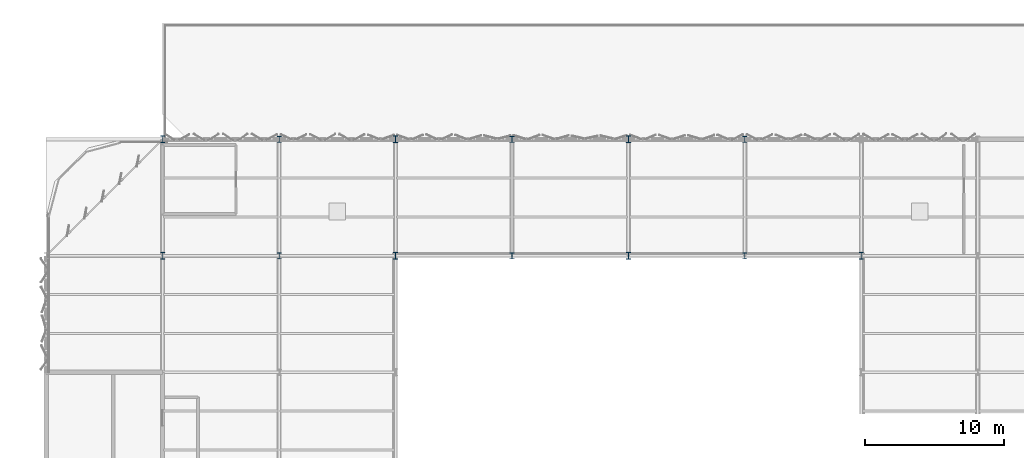
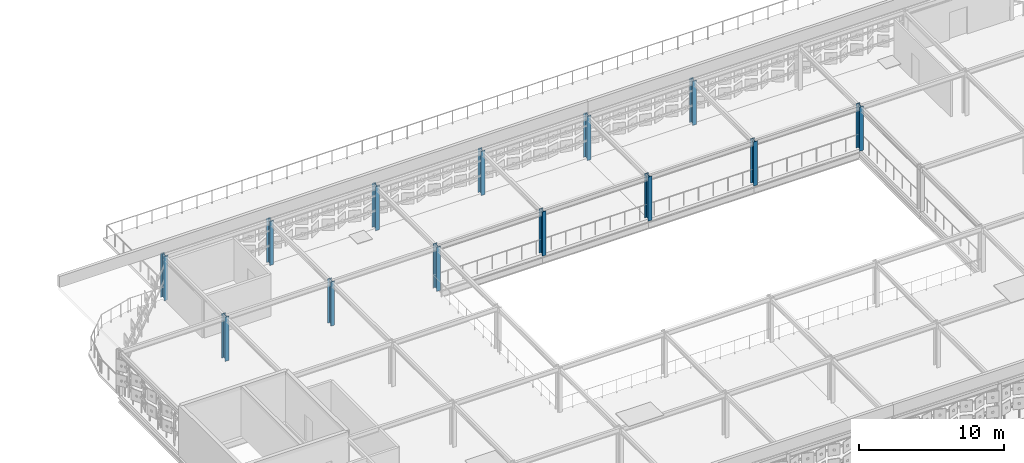
# One storey, part 6 of 65: 13 columns.
"""IFC4 building model written with IfcOpenShell, lengths in metres."""

import ifcopenshell
import ifcopenshell.guid

model = None  # the IFC model being written
_history = None  # IfcOwnerHistory: only IFC2X3 demands one
_inside = {}  # id of a spatial element -> (the spatial element, [elements in it])
_under = {}  # id of a project, library or spatial element -> (it, [spatial elements below it])
_declared = {}  # id of a project -> (the project, [libraries it declares])
_typed = {}  # id of a type object -> (the type object, [elements of that type])
_made_of = {}  # id of a material, layer set ... -> (it, [elements and type objects made of it])


def new_model(schema):
    """Start an empty IFC model of exactly this schema.

    Asked for "IFC4X3", IfcOpenShell would pick the latest addendum, in which some entities
    have other attributes; the version numbers below select the first issue.
    IFC2X3 requires an IfcOwnerHistory on every rooted entity: one is made here for all.
    """
    global model, _history
    if schema == "IFC4X3":
        model = ifcopenshell.file(schema_version=(4, 3, 0, 0))
    else:
        model = ifcopenshell.file(schema=schema)
    _inside.clear()
    _under.clear()
    _declared.clear()
    _typed.clear()
    _made_of.clear()
    _history = None
    if model.schema == "IFC2X3":
        org = make("IfcOrganization", Name="unknown")
        user = make(
            "IfcPersonAndOrganization",
            ThePerson=make("IfcPerson", FamilyName="unknown"),
            TheOrganization=org,
        )
        app = make(
            "IfcApplication",
            ApplicationDeveloper=org,
            Version="unknown",
            ApplicationFullName="unknown",
            ApplicationIdentifier="unknown",
        )
        _history = make(
            "IfcOwnerHistory",
            OwningUser=user,
            OwningApplication=app,
            ChangeAction="ADDED",
            CreationDate=0,
        )
    return model


def make(cls, **values):
    """One entity of the class cls with the attributes given. An attribute that is None is left unset."""
    return model.create_entity(
        cls, **{name: value for name, value in values.items() if value is not None}
    )


def rooted(cls, **values):
    """An entity with a GlobalId (a new one), such as an element, a storey or a relation."""
    return make(cls, GlobalId=ifcopenshell.guid.new(), OwnerHistory=_history, **values)


def si_unit(unit_type, name, prefix=None):
    """IfcSIUnit, for example si_unit("LENGTHUNIT", "METRE", prefix="MILLI")."""
    return make("IfcSIUnit", UnitType=unit_type, Prefix=prefix, Name=name)


def assignment(units):
    """IfcUnitAssignment: the units of a project."""
    return None if units is None else make("IfcUnitAssignment", Units=units)


def point(xyz):
    """IfcCartesianPoint."""
    return None if xyz is None else make("IfcCartesianPoint", Coordinates=xyz)


def direction(xyz):
    """IfcDirection."""
    return None if xyz is None else make("IfcDirection", DirectionRatios=xyz)


def frame(location, z_axis=None, x_axis=None):
    """IfcAxis2Placement3D, a coordinate frame: its origin and axes. An axis left out is left unset."""
    return make(
        "IfcAxis2Placement3D",
        Location=point(location),
        Axis=direction(z_axis),
        RefDirection=direction(x_axis),
    )


def frame_2d(location, x_axis=None):
    """IfcAxis2Placement2D, a coordinate frame in the plane: its origin and x axis."""
    return make(
        "IfcAxis2Placement2D", Location=point(location), RefDirection=direction(x_axis)
    )


def origin():
    """The frame at (0, 0, 0) with its axes left unset."""
    return frame((0.0, 0.0, 0.0))


def origin_2d():
    """The frame at (0, 0) in the plane with its x axis left unset."""
    return frame_2d((0.0, 0.0))


def place(relative_to, where):
    """IfcLocalPlacement: puts the frame where relative to a parent placement (None: the world)."""
    return make(
        "IfcLocalPlacement", PlacementRelTo=relative_to, RelativePlacement=where
    )


def context(
    kind, dimensions, precision=None, world=None, true_north=None, identifier=None
):
    """IfcGeometricRepresentationContext, for example the 3D "Model" context."""
    return make(
        "IfcGeometricRepresentationContext",
        ContextIdentifier=identifier,
        ContextType=kind,
        CoordinateSpaceDimension=dimensions,
        Precision=precision,
        WorldCoordinateSystem=world,
        TrueNorth=true_north,
    )


def subcontext(parent, identifier, kind, view, scale=None):
    """IfcGeometricRepresentationSubContext, for example "Body" below "Model"."""
    return make(
        "IfcGeometricRepresentationSubContext",
        ContextIdentifier=identifier,
        ContextType=kind,
        ParentContext=parent,
        TargetScale=scale,
        TargetView=view,
    )


def project(units=None, contexts=None):
    """IfcProject with its units and contexts."""
    return rooted(
        "IfcProject",
        Name="project",
        RepresentationContexts=contexts,
        UnitsInContext=assignment(units),
    )


def spatial(cls, under=None, at=None, **own):
    """A site, building, storey or space (cls), placed at a placement, below another one or the project."""
    s = rooted(cls, ObjectPlacement=at, **own)
    if under is not None:
        _under.setdefault(under.id(), (under, []))[1].append(s)
    return s


def profile(cls, at=None, kind="AREA", **sizes):
    """A parametric profile (cls). Its sizes go by their IFC names, for example OverallWidth=200.0."""
    return make(cls, ProfileType=kind, Position=at, **sizes)


def i_section(**sizes):
    """IfcIShapeProfileDef."""
    return profile("IfcIShapeProfileDef", **sizes)


def extrude(swept, where, along, depth):
    """IfcExtrudedAreaSolid: the profile swept, set in the frame where, extruded along a direction by depth."""
    return make(
        "IfcExtrudedAreaSolid",
        SweptArea=swept,
        Position=where,
        ExtrudedDirection=direction(along),
        Depth=depth,
    )


def shape(context_of_items, identifier, shape_type, items):
    """IfcShapeRepresentation: the items that make up one representation, for example the "Body"."""
    return make(
        "IfcShapeRepresentation",
        ContextOfItems=context_of_items,
        RepresentationIdentifier=identifier,
        RepresentationType=shape_type,
        Items=items,
    )


def material(Name=None, Category=None):
    """IfcMaterial."""
    return make("IfcMaterial", Name=Name, Category=Category)


def material_profile(
    of_material, cross_section, Name=None, Category=None, Priority=None
):
    """IfcMaterialProfile: a cross section and its material."""
    return make(
        "IfcMaterialProfile",
        Name=Name,
        Material=of_material,
        Profile=cross_section,
        Priority=Priority,
        Category=Category,
    )


def profile_set(profiles, Name=None, composite=None):
    """IfcMaterialProfileSet."""
    return make(
        "IfcMaterialProfileSet",
        Name=Name,
        MaterialProfiles=profiles,
        CompositeProfile=composite,
    )


def made_of(thing, what):
    """Note that an element or type object is made of a material, layer set ...; save() writes the relation."""
    if what is not None:
        _made_of.setdefault(what.id(), (what, []))[1].append(thing)
    return thing


def type_object(cls, material=None, **own):
    """A type object (cls), such as IfcWallType, which elements share."""
    return made_of(rooted(cls, **own), material)


def element(
    cls,
    number,
    at=None,
    inside=None,
    cuts=None,
    type_object=None,
    material=None,
    context=None,
    identifier="Body",
    shape_type=None,
    held_by="IfcProductDefinitionShape",
    body=None,
    shapes=None,
    **own,
):
    """One element of the class cls, such as IfcWall. Its Tag is "e" and its number.

    at: its placement. inside: the storey or other place that contains it. cuts: it is an
    opening in that element (IfcRelVoidsElement). A single representation is given by context,
    identifier, shape_type and body (its items); several are given by shapes. held_by: the class
    of the entity that holds the representations. save() writes the other relations.
    """
    e = rooted(cls, Tag="e%d" % number, ObjectPlacement=at, **own)
    if body is not None:
        shapes = [shape(context, identifier, shape_type, body)]
    if shapes is not None:
        e.Representation = make(held_by, Representations=shapes)
    if inside is not None:
        _inside.setdefault(inside.id(), (inside, []))[1].append(e)
    if cuts is not None:
        rooted(
            "IfcRelVoidsElement", RelatingBuildingElement=cuts, RelatedOpeningElement=e
        )
    if type_object is not None:
        _typed.setdefault(type_object.id(), (type_object, []))[1].append(e)
    return made_of(e, material)


def aggregate(whole, parts):
    """IfcRelAggregates: a whole, such as a stair, and the parts it consists of."""
    return rooted("IfcRelAggregates", RelatingObject=whole, RelatedObjects=parts)


def save(model, path):
    """Write the relations noted so far, then the file.

    IfcRelAggregates (storeys below a building ...), IfcRelContainedInSpatialStructure (elements
    in a storey), IfcRelDefinesByType, IfcRelAssociatesMaterial and IfcRelDeclares: one each for
    every whole, place, type object, material and project.
    """
    for whole, parts in _under.values():
        aggregate(whole, parts)
    for where, things in _inside.values():
        rooted(
            "IfcRelContainedInSpatialStructure",
            RelatedElements=things,
            RelatingStructure=where,
        )
    for kind, things in _typed.values():
        rooted("IfcRelDefinesByType", RelatedObjects=things, RelatingType=kind)
    for what, things in _made_of.values():
        rooted("IfcRelAssociatesMaterial", RelatedObjects=things, RelatingMaterial=what)
    for by, libraries in _declared.values():
        rooted("IfcRelDeclares", RelatingContext=by, RelatedDefinitions=libraries)
    model.write(path)


model = new_model("IFC4")

# Units and contexts
model_context = context("Model", 3, precision=1e-05, world=origin(), true_north=direction((0.0, 1.0)))
body_context = subcontext(model_context, "Body", "Model", "MODEL_VIEW")
ifc_project = project(units=[si_unit("LENGTHUNIT", "METRE"), si_unit("AREAUNIT", "SQUARE_METRE"), si_unit("VOLUMEUNIT", "CUBIC_METRE"), si_unit("PLANEANGLEUNIT", "RADIAN"), si_unit("MASSUNIT", "GRAM", prefix="KILO")], contexts=[model_context])

# Site, building, storey
site_placement = place(None, origin())
site = spatial("IfcSite", under=ifc_project, at=site_placement, CompositionType="ELEMENT")
building_placement = place(site_placement, origin())
building = spatial("IfcBuilding", under=site, at=building_placement, Name="Qalvenar Corner Mobility Hub", CompositionType="ELEMENT")
storey_placement = place(building_placement, frame((0.0, 0.0, 17.39990234375)))
storey = spatial("IfcBuildingStorey", under=building, at=storey_placement, Name="L04", CompositionType="ELEMENT", Elevation=17.39990234375)

# Columns
ifc_material = material(Name="Steel S355", Category="steel")
ifc_material_profile_1 = material_profile(ifc_material, i_section(OverallWidth=0.300048828125, OverallDepth=0.449951171875, WebThickness=0.013916015625, FlangeThickness=0.02587890625, FilletRadius=0.027099609375, at=origin_2d()), Name="HEB450")
ifc_profile_set_1 = profile_set([ifc_material_profile_1], Name="Steel S355")
column_type_1 = type_object("IfcColumnType", Name="COL-HEB450", PredefinedType="COLUMN", material=ifc_profile_set_1)
for number, where, z_axis, x_axis, name in (
    (1, (75.60009765625, 100.800048828125, 0.0), (0.0, 0.0, 1.0), (1.0, 0.0, 0.0), "Steel Column L04-G10-12"),
    (2, (75.60009765625, 109.199951171875, 0.0), (0.0, 0.0, 1.0), (1.0, 0.0, 0.0), "Steel Column L04-G10-13"),
    (3, (92.39990234375, 100.800048828125, 0.0), (0.0, 0.0, 1.0), (1.0, 0.0, 0.0), "Steel Column L04-G12-12"),
    (4, (92.39990234375, 109.199951171875, 0.0), (0.0, 0.0, 1.0), (1.0, 0.0, 0.0), "Steel Column L04-G12-13"),
    (5, (109.199951171875, 100.800048828125, 0.0), (0.0, 0.0, 1.0), (1.0, 0.0, 0.0), "Steel Column L04-G14-12"),
    (6, (109.199951171875, 109.199951171875, 0.0), (0.0, 0.0, 1.0), (1.0, 0.0, 0.0), "Steel Column L04-G14-13"),
):
    element("IfcColumn", number, at=place(storey_placement, frame(where, z_axis=z_axis, x_axis=x_axis)), inside=storey, type_object=column_type_1, Name=name, PredefinedType="COLUMN", context=body_context, shape_type="SweptSolid", body=[
        extrude(i_section(OverallWidth=0.300048828125, OverallDepth=0.449951171875, WebThickness=0.013916015625, FlangeThickness=0.02587890625, FilletRadius=0.027099609375, at=origin_2d()), origin(), (0.0, 0.0, 1.0), 3.710205078125),
    ])
ifc_material_profile_2 = material_profile(ifc_material, i_section(OverallWidth=0.300048828125, OverallDepth=0.5, WebThickness=0.014404296875, FlangeThickness=0.028076171875, FilletRadius=0.027099609375, at=origin_2d()), Name="HEB500")
ifc_profile_set_2 = profile_set([ifc_material_profile_2], Name="Steel S355")
column_type_2 = type_object("IfcColumnType", Name="COL-HEB500", PredefinedType="COLUMN", material=ifc_profile_set_2)
for number, where, z_axis, x_axis, name in (
    (7, (67.199951171875, 100.800048828125, 0.0), (0.0, 0.0, 1.0), (1.0, 0.0, 0.0), "Steel Column L04-G9-12"),
    (8, (67.199951171875, 109.199951171875, 0.0), (0.0, 0.0, 1.0), (1.0, 0.0, 0.0), "Steel Column L04-G9-13"),
    (9, (84.0, 100.800048828125, 0.0), (0.0, 0.0, 1.0), (1.0, 0.0, 0.0), "Steel Column L04-G11-12"),
    (10, (84.0, 109.199951171875, 0.0), (0.0, 0.0, 1.0), (1.0, 0.0, 0.0), "Steel Column L04-G11-13"),
    (11, (100.800048828125, 100.800048828125, 0.0), (0.0, 0.0, 1.0), (1.0, 0.0, 0.0), "Steel Column L04-G13-12"),
    (12, (100.800048828125, 109.199951171875, 0.0), (0.0, 0.0, 1.0), (1.0, 0.0, 0.0), "Steel Column L04-G13-13"),
    (13, (117.60009765625, 100.800048828125, 0.0), (0.0, 0.0, 1.0), (1.0, 0.0, 0.0), "Steel Column L04-G15-12"),
):
    element("IfcColumn", number, at=place(storey_placement, frame(where, z_axis=z_axis, x_axis=x_axis)), inside=storey, type_object=column_type_2, Name=name, PredefinedType="COLUMN", context=body_context, shape_type="SweptSolid", body=[
        extrude(i_section(OverallWidth=0.300048828125, OverallDepth=0.5, WebThickness=0.014404296875, FlangeThickness=0.028076171875, FilletRadius=0.027099609375, at=origin_2d()), origin(), (0.0, 0.0, 1.0), 3.710205078125),
    ])

save(model, "model.ifc")
